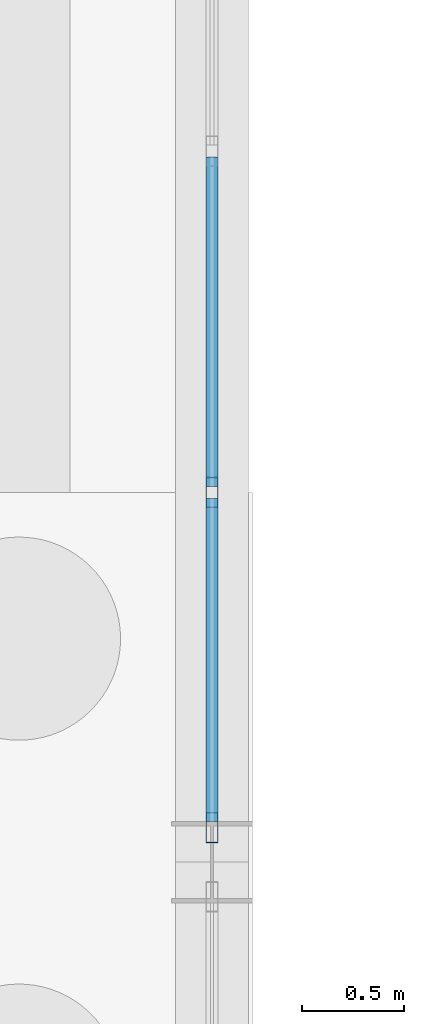
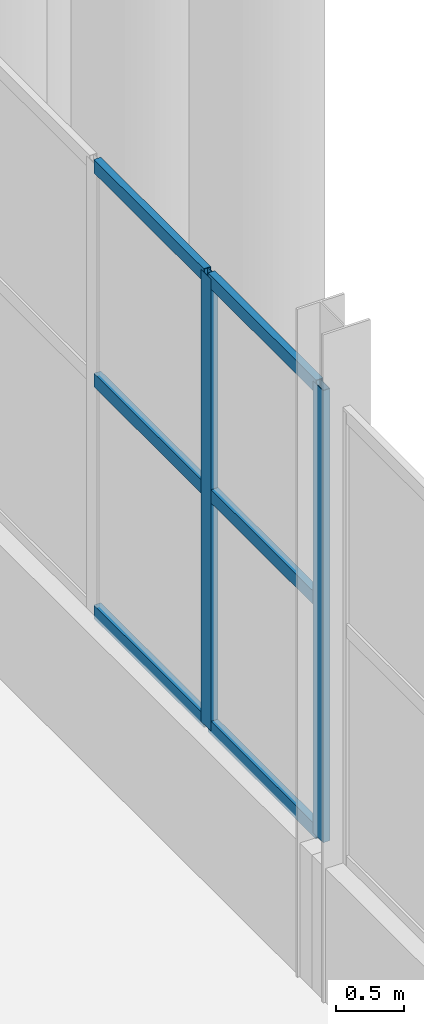
# One storey, part 64 of 139: 8 members, 1 element without a shape of its own.
"""IFC4 building model written with IfcOpenShell, lengths in metres."""

from ifc_helpers import new_model, si_unit, direction, frame, origin, origin_2d, place, context, subcontext, project, spatial, hollow_rectangle, extrude, material, material_profile, profile_set, type_object, element, aggregate, save


model = new_model("IFC4")

# Units and contexts
model_context = context("Model", 3, precision=1e-05, world=origin(), true_north=direction((0.0, 1.0)))
body_context = subcontext(model_context, "Body", "Model", "MODEL_VIEW")
ifc_project = project(units=[si_unit("LENGTHUNIT", "METRE"), si_unit("AREAUNIT", "SQUARE_METRE"), si_unit("VOLUMEUNIT", "CUBIC_METRE"), si_unit("PLANEANGLEUNIT", "RADIAN"), si_unit("MASSUNIT", "GRAM", prefix="KILO")], contexts=[model_context])

# Site, building, storey
site_placement = place(None, origin())
site = spatial("IfcSite", under=ifc_project, at=site_placement, CompositionType="ELEMENT")
building_placement = place(site_placement, origin())
building = spatial("IfcBuilding", under=site, at=building_placement, Name="Kazenagashi Tramway Depot", CompositionType="ELEMENT")
storey_placement = place(building_placement, origin())
storey = spatial("IfcBuildingStorey", under=building, at=storey_placement, Name="L01", CompositionType="ELEMENT", Elevation=0.0)

# Curtain wall, members
ifc_material_1 = material(Name="Anodised Aluminium and Low-E Glazing", Category="aluminium")
curtain_wall_type = type_object("IfcCurtainWallType", Name="CW-33", PredefinedType="USERDEFINED", material=ifc_material_1)
curtain_wall_placement = place(storey_placement, origin())
curtain_wall = element("IfcCurtainWall", 1, at=curtain_wall_placement, inside=storey, type_object=curtain_wall_type, Name="Industrial Glazed Screen CW-33 CW-0195", ObjectType="GLAZED SCREEN", PredefinedType="USERDEFINED")
ifc_material_2 = material(Name="Anodised Aluminium", Category="aluminium")
ifc_material_profile_1 = material_profile(ifc_material_2, hollow_rectangle(XDim=0.06, YDim=0.15, WallThickness=0.004, at=origin_2d()), Name="RHS-150x60x4")
ifc_profile_set_1 = profile_set([ifc_material_profile_1], Name="Anodised Aluminium")
member_type_1 = type_object("IfcMemberType", Name="ML-01", PredefinedType="MULLION", material=ifc_profile_set_1)
member_1_placement = place(storey_placement, frame((44.1, 56.17, 1.2), z_axis=(0.0, 0.0, 1.0), x_axis=(-1.0, 0.0, 0.0)))
member_1 = element("IfcMember", 2, at=member_1_placement, type_object=member_type_1, Name="CW-33 mullion 1", PredefinedType="MULLION", context=body_context, shape_type="SweptSolid", body=[
    extrude(hollow_rectangle(XDim=0.06, YDim=0.15, WallThickness=0.004, at=origin_2d()), origin(), (0.0, 0.0, 1.0), 4.062),
])
member_2_placement = place(storey_placement, frame((44.1, 57.82, 1.2), z_axis=(0.0, 0.0, 1.0), x_axis=(-1.0, 0.0, 0.0)))
member_2 = element("IfcMember", 3, at=member_2_placement, type_object=member_type_1, Name="CW-33 mullion 2", PredefinedType="MULLION", context=body_context, shape_type="SweptSolid", body=[
    extrude(hollow_rectangle(XDim=0.06, YDim=0.15, WallThickness=0.004, at=origin_2d()), origin(), (0.0, 0.0, 1.0), 4.062),
])
ifc_material_profile_2 = material_profile(ifc_material_2, hollow_rectangle(XDim=0.06, YDim=0.12, WallThickness=0.004, at=origin_2d()), Name="RHS-120x60x4")
ifc_profile_set_2 = profile_set([ifc_material_profile_2], Name="Anodised Aluminium")
member_type_2 = type_object("IfcMemberType", Name="TR-01", PredefinedType="USERDEFINED", material=ifc_profile_set_2)
member_3_placement = place(storey_placement, frame((44.1, 56.2, 1.23), z_axis=(0.0, 1.0, 0.0), x_axis=(-1.0, 0.0, 0.0)))
member_3 = element("IfcMember", 4, at=member_3_placement, type_object=member_type_2, Name="CW-33 transom 1.1", ObjectType="TRANSOM", PredefinedType="USERDEFINED", context=body_context, shape_type="SweptSolid", body=[
    extrude(hollow_rectangle(XDim=0.06, YDim=0.12, WallThickness=0.004, at=origin_2d()), origin(), (0.0, 0.0, 1.0), 1.59),
])
member_4_placement = place(storey_placement, frame((44.1, 56.2, 3.312), z_axis=(0.0, 1.0, 0.0), x_axis=(-1.0, 0.0, 0.0)))
member_4 = element("IfcMember", 5, at=member_4_placement, type_object=member_type_2, Name="CW-33 transom 1.2", ObjectType="TRANSOM", PredefinedType="USERDEFINED", context=body_context, shape_type="SweptSolid", body=[
    extrude(hollow_rectangle(XDim=0.06, YDim=0.12, WallThickness=0.004, at=origin_2d()), origin(), (0.0, 0.0, 1.0), 1.59),
])
member_5_placement = place(storey_placement, frame((44.1, 56.2, 5.232), z_axis=(0.0, 1.0, 0.0), x_axis=(-1.0, 0.0, 0.0)))
member_5 = element("IfcMember", 6, at=member_5_placement, type_object=member_type_2, Name="CW-33 transom 1.3", ObjectType="TRANSOM", PredefinedType="USERDEFINED", context=body_context, shape_type="SweptSolid", body=[
    extrude(hollow_rectangle(XDim=0.06, YDim=0.12, WallThickness=0.004, at=origin_2d()), origin(), (0.0, 0.0, 1.0), 1.59),
])
member_6_placement = place(storey_placement, frame((44.1, 57.85, 1.23), z_axis=(0.0, 1.0, 0.0), x_axis=(-1.0, 0.0, 0.0)))
member_6 = element("IfcMember", 7, at=member_6_placement, type_object=member_type_2, Name="CW-33 transom 2.1", ObjectType="TRANSOM", PredefinedType="USERDEFINED", context=body_context, shape_type="SweptSolid", body=[
    extrude(hollow_rectangle(XDim=0.06, YDim=0.12, WallThickness=0.004, at=origin_2d()), origin(), (0.0, 0.0, 1.0), 1.62),
])
member_7_placement = place(storey_placement, frame((44.1, 57.85, 3.312), z_axis=(0.0, 1.0, 0.0), x_axis=(-1.0, 0.0, 0.0)))
member_7 = element("IfcMember", 8, at=member_7_placement, type_object=member_type_2, Name="CW-33 transom 2.2", ObjectType="TRANSOM", PredefinedType="USERDEFINED", context=body_context, shape_type="SweptSolid", body=[
    extrude(hollow_rectangle(XDim=0.06, YDim=0.12, WallThickness=0.004, at=origin_2d()), origin(), (0.0, 0.0, 1.0), 1.62),
])
member_8_placement = place(storey_placement, frame((44.1, 57.85, 5.232), z_axis=(0.0, 1.0, 0.0), x_axis=(-1.0, 0.0, 0.0)))
member_8 = element("IfcMember", 9, at=member_8_placement, type_object=member_type_2, Name="CW-33 transom 2.3", ObjectType="TRANSOM", PredefinedType="USERDEFINED", context=body_context, shape_type="SweptSolid", body=[
    extrude(hollow_rectangle(XDim=0.06, YDim=0.12, WallThickness=0.004, at=origin_2d()), origin(), (0.0, 0.0, 1.0), 1.62),
])
aggregate(curtain_wall, [member_1, member_2, member_3, member_4, member_5, member_6, member_7, member_8])

save(model, "model.ifc")
